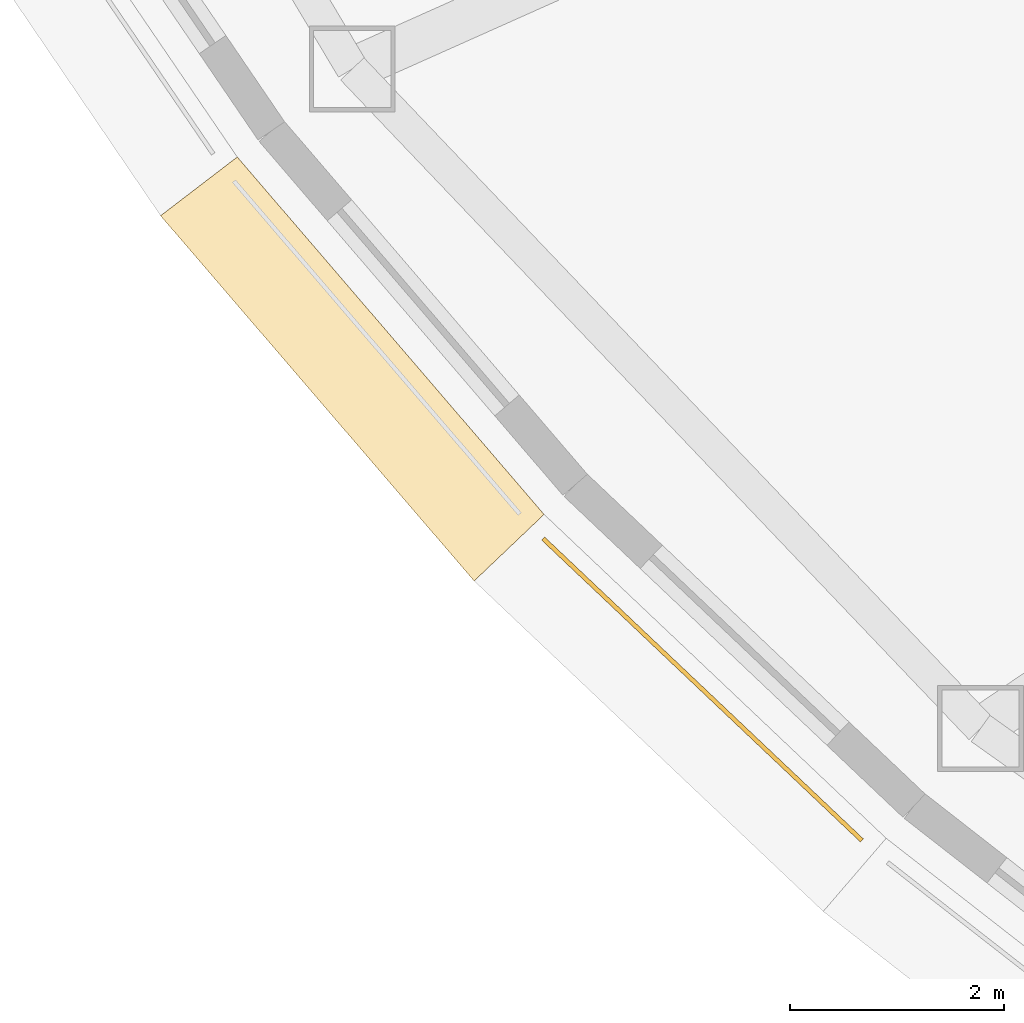
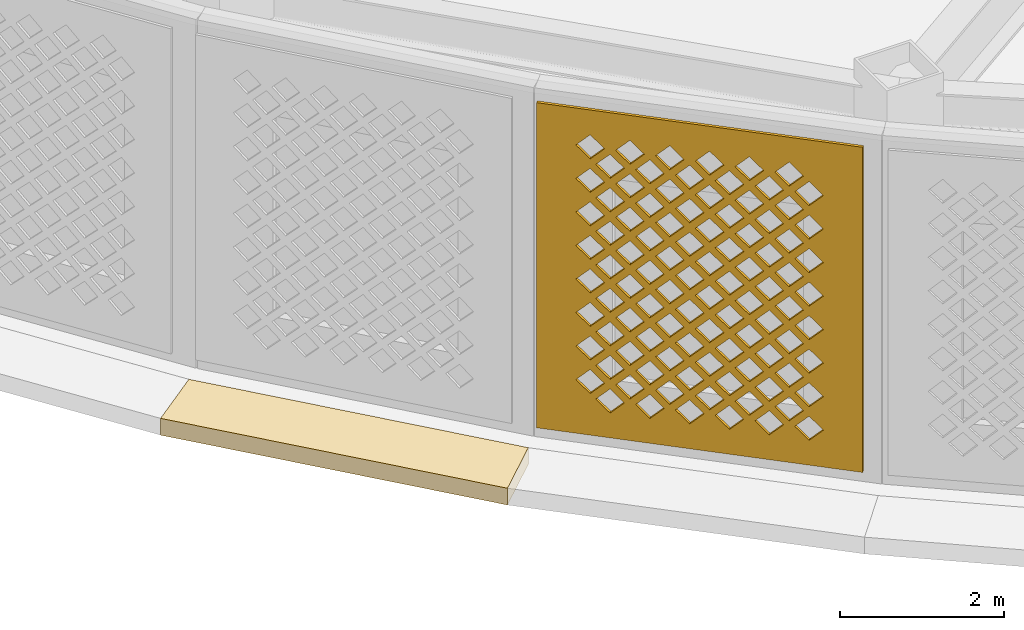
# One storey, part 37 of 63: 2 coverings.
"""IFC4 building model written with IfcOpenShell, lengths in metres."""

from ifc_helpers import new_model, si_unit, direction, frame, origin, place, context, subcontext, project, spatial, polyline, outline, extrude, material, layer, layer_set, type_object, element, save


model = new_model("IFC4")

# Units and contexts
model_context = context("Model", 3, precision=1e-05, world=origin(), true_north=direction((0.0, 1.0)))
body_context = subcontext(model_context, "Body", "Model", "MODEL_VIEW")
ifc_project = project(units=[si_unit("LENGTHUNIT", "METRE"), si_unit("AREAUNIT", "SQUARE_METRE"), si_unit("VOLUMEUNIT", "CUBIC_METRE"), si_unit("PLANEANGLEUNIT", "RADIAN"), si_unit("MASSUNIT", "GRAM", prefix="KILO")], contexts=[model_context])

# Site, building, storey
site_placement = place(None, origin())
site = spatial("IfcSite", under=ifc_project, at=site_placement, CompositionType="ELEMENT")
building_placement = place(site_placement, origin())
building = spatial("IfcBuilding", under=site, at=building_placement, Name="Noorbagh Ring Tower", CompositionType="ELEMENT")
storey_placement = place(building_placement, frame((0.0, 0.0, 25.0)))
storey = spatial("IfcBuildingStorey", under=building, at=storey_placement, Name="L04", CompositionType="ELEMENT", Elevation=25.0)

# Coverings
ifc_material_1 = material(Name="Red sandstone eave", Category="masonry")
covering_type_1 = type_object("IfcCoveringType", Name="STY-CHHAJJA", PredefinedType="USERDEFINED", material=ifc_material_1)
covering_1_placement = place(storey_placement, frame((0.0, 0.0, -0.25)))
element("IfcCovering", 1, at=covering_1_placement, inside=storey, type_object=covering_type_1, Name="Chhajja eave", ObjectType="CHHAJJA", PredefinedType="USERDEFINED", context=body_context, shape_type="SweptSolid", body=[
    extrude(outline(polyline([(-44.77001953125, -20.346923828125), (-41.906494140625, -23.682373046875), (-42.55908203125, -24.3037109375), (-45.485595703125, -20.89501953125), (-44.77001953125, -20.346923828125)])), origin(), (0.0, 0.0, 1.0), 0.25),
])
ifc_material_2 = material(Name="Red sandstone jali", Category="masonry")
ifc_layer = layer(ifc_material_2, 0.0400390625)
ifc_layer_set = layer_set([ifc_layer], Name="Red sandstone jali")
covering_type_2 = type_object("IfcCoveringType", Name="STY-JALI", PredefinedType="USERDEFINED", material=ifc_layer_set)
covering_2_placement = place(storey_placement, frame((-41.92822265625, -23.92333984375, 0.449951171875), z_axis=(-0.687531349275, -0.726154696855, 0.0), x_axis=(0.726154696855, -0.687531349275, 0.0)))
element("IfcCovering", 2, at=covering_2_placement, inside=storey, type_object=covering_type_2, Name="Jali screen", ObjectType="SCREEN", PredefinedType="USERDEFINED", context=body_context, shape_type="SweptSolid", body=[
    extrude(outline(polyline([(0.0, 0.0), (4.095947265625, 0.0), (4.095947265625, 4.85009765625), (0.0, 4.85009765625), (0.0, 0.0)]), holes=[polyline([(0.742919921875, 0.550048828125), (0.923095703125, 0.3701171875), (1.10302734375, 0.550048828125), (0.923095703125, 0.72998046875), (0.742919921875, 0.550048828125)]), polyline([(1.242919921875, 0.550048828125), (1.423095703125, 0.3701171875), (1.60302734375, 0.550048828125), (1.423095703125, 0.72998046875), (1.242919921875, 0.550048828125)]), polyline([(1.742919921875, 0.550048828125), (1.923095703125, 0.3701171875), (2.10302734375, 0.550048828125), (1.923095703125, 0.72998046875), (1.742919921875, 0.550048828125)]), polyline([(2.242919921875, 0.550048828125), (2.423095703125, 0.3701171875), (2.60302734375, 0.550048828125), (2.423095703125, 0.72998046875), (2.242919921875, 0.550048828125)]), polyline([(2.742919921875, 0.550048828125), (2.923095703125, 0.3701171875), (3.10302734375, 0.550048828125), (2.923095703125, 0.72998046875), (2.742919921875, 0.550048828125)]), polyline([(3.242919921875, 0.550048828125), (3.423095703125, 0.3701171875), (3.60302734375, 0.550048828125), (3.423095703125, 0.72998046875), (3.242919921875, 0.550048828125)]), polyline([(0.492919921875, 0.800048828125), (0.673095703125, 0.6201171875), (0.85302734375, 0.800048828125), (0.673095703125, 0.97998046875), (0.492919921875, 0.800048828125)]), polyline([(0.992919921875, 0.800048828125), (1.173095703125, 0.6201171875), (1.35302734375, 0.800048828125), (1.173095703125, 0.97998046875), (0.992919921875, 0.800048828125)]), polyline([(1.492919921875, 0.800048828125), (1.673095703125, 0.6201171875), (1.85302734375, 0.800048828125), (1.673095703125, 0.97998046875), (1.492919921875, 0.800048828125)]), polyline([(1.992919921875, 0.800048828125), (2.173095703125, 0.6201171875), (2.35302734375, 0.800048828125), (2.173095703125, 0.97998046875), (1.992919921875, 0.800048828125)]), polyline([(2.492919921875, 0.800048828125), (2.673095703125, 0.6201171875), (2.85302734375, 0.800048828125), (2.673095703125, 0.97998046875), (2.492919921875, 0.800048828125)]), polyline([(2.992919921875, 0.800048828125), (3.173095703125, 0.6201171875), (3.35302734375, 0.800048828125), (3.173095703125, 0.97998046875), (2.992919921875, 0.800048828125)]), polyline([(0.742919921875, 1.050048828125), (0.923095703125, 0.8701171875), (1.10302734375, 1.050048828125), (0.923095703125, 1.22998046875), (0.742919921875, 1.050048828125)]), polyline([(1.242919921875, 1.050048828125), (1.423095703125, 0.8701171875), (1.60302734375, 1.050048828125), (1.423095703125, 1.22998046875), (1.242919921875, 1.050048828125)]), polyline([(1.742919921875, 1.050048828125), (1.923095703125, 0.8701171875), (2.10302734375, 1.050048828125), (1.923095703125, 1.22998046875), (1.742919921875, 1.050048828125)]), polyline([(2.242919921875, 1.050048828125), (2.423095703125, 0.8701171875), (2.60302734375, 1.050048828125), (2.423095703125, 1.22998046875), (2.242919921875, 1.050048828125)]), polyline([(2.742919921875, 1.050048828125), (2.923095703125, 0.8701171875), (3.10302734375, 1.050048828125), (2.923095703125, 1.22998046875), (2.742919921875, 1.050048828125)]), polyline([(3.242919921875, 1.050048828125), (3.423095703125, 0.8701171875), (3.60302734375, 1.050048828125), (3.423095703125, 1.22998046875), (3.242919921875, 1.050048828125)]), polyline([(0.492919921875, 1.300048828125), (0.673095703125, 1.1201171875), (0.85302734375, 1.300048828125), (0.673095703125, 1.47998046875), (0.492919921875, 1.300048828125)]), polyline([(0.992919921875, 1.300048828125), (1.173095703125, 1.1201171875), (1.35302734375, 1.300048828125), (1.173095703125, 1.47998046875), (0.992919921875, 1.300048828125)]), polyline([(1.492919921875, 1.300048828125), (1.673095703125, 1.1201171875), (1.85302734375, 1.300048828125), (1.673095703125, 1.47998046875), (1.492919921875, 1.300048828125)]), polyline([(1.992919921875, 1.300048828125), (2.173095703125, 1.1201171875), (2.35302734375, 1.300048828125), (2.173095703125, 1.47998046875), (1.992919921875, 1.300048828125)]), polyline([(2.492919921875, 1.300048828125), (2.673095703125, 1.1201171875), (2.85302734375, 1.300048828125), (2.673095703125, 1.47998046875), (2.492919921875, 1.300048828125)]), polyline([(2.992919921875, 1.300048828125), (3.173095703125, 1.1201171875), (3.35302734375, 1.300048828125), (3.173095703125, 1.47998046875), (2.992919921875, 1.300048828125)]), polyline([(0.742919921875, 1.550048828125), (0.923095703125, 1.3701171875), (1.10302734375, 1.550048828125), (0.923095703125, 1.72998046875), (0.742919921875, 1.550048828125)]), polyline([(1.242919921875, 1.550048828125), (1.423095703125, 1.3701171875), (1.60302734375, 1.550048828125), (1.423095703125, 1.72998046875), (1.242919921875, 1.550048828125)]), polyline([(1.742919921875, 1.550048828125), (1.923095703125, 1.3701171875), (2.10302734375, 1.550048828125), (1.923095703125, 1.72998046875), (1.742919921875, 1.550048828125)]), polyline([(2.242919921875, 1.550048828125), (2.423095703125, 1.3701171875), (2.60302734375, 1.550048828125), (2.423095703125, 1.72998046875), (2.242919921875, 1.550048828125)]), polyline([(2.742919921875, 1.550048828125), (2.923095703125, 1.3701171875), (3.10302734375, 1.550048828125), (2.923095703125, 1.72998046875), (2.742919921875, 1.550048828125)]), polyline([(3.242919921875, 1.550048828125), (3.423095703125, 1.3701171875), (3.60302734375, 1.550048828125), (3.423095703125, 1.72998046875), (3.242919921875, 1.550048828125)]), polyline([(0.492919921875, 1.800048828125), (0.673095703125, 1.6201171875), (0.85302734375, 1.800048828125), (0.673095703125, 1.97998046875), (0.492919921875, 1.800048828125)]), polyline([(0.992919921875, 1.800048828125), (1.173095703125, 1.6201171875), (1.35302734375, 1.800048828125), (1.173095703125, 1.97998046875), (0.992919921875, 1.800048828125)]), polyline([(1.492919921875, 1.800048828125), (1.673095703125, 1.6201171875), (1.85302734375, 1.800048828125), (1.673095703125, 1.97998046875), (1.492919921875, 1.800048828125)]), polyline([(1.992919921875, 1.800048828125), (2.173095703125, 1.6201171875), (2.35302734375, 1.800048828125), (2.173095703125, 1.97998046875), (1.992919921875, 1.800048828125)]), polyline([(2.492919921875, 1.800048828125), (2.673095703125, 1.6201171875), (2.85302734375, 1.800048828125), (2.673095703125, 1.97998046875), (2.492919921875, 1.800048828125)]), polyline([(2.992919921875, 1.800048828125), (3.173095703125, 1.6201171875), (3.35302734375, 1.800048828125), (3.173095703125, 1.97998046875), (2.992919921875, 1.800048828125)]), polyline([(0.742919921875, 2.050048828125), (0.923095703125, 1.8701171875), (1.10302734375, 2.050048828125), (0.923095703125, 2.22998046875), (0.742919921875, 2.050048828125)]), polyline([(1.242919921875, 2.050048828125), (1.423095703125, 1.8701171875), (1.60302734375, 2.050048828125), (1.423095703125, 2.22998046875), (1.242919921875, 2.050048828125)]), polyline([(1.742919921875, 2.050048828125), (1.923095703125, 1.8701171875), (2.10302734375, 2.050048828125), (1.923095703125, 2.22998046875), (1.742919921875, 2.050048828125)]), polyline([(2.242919921875, 2.050048828125), (2.423095703125, 1.8701171875), (2.60302734375, 2.050048828125), (2.423095703125, 2.22998046875), (2.242919921875, 2.050048828125)]), polyline([(2.742919921875, 2.050048828125), (2.923095703125, 1.8701171875), (3.10302734375, 2.050048828125), (2.923095703125, 2.22998046875), (2.742919921875, 2.050048828125)]), polyline([(3.242919921875, 2.050048828125), (3.423095703125, 1.8701171875), (3.60302734375, 2.050048828125), (3.423095703125, 2.22998046875), (3.242919921875, 2.050048828125)]), polyline([(0.492919921875, 2.300048828125), (0.673095703125, 2.1201171875), (0.85302734375, 2.300048828125), (0.673095703125, 2.47998046875), (0.492919921875, 2.300048828125)]), polyline([(0.992919921875, 2.300048828125), (1.173095703125, 2.1201171875), (1.35302734375, 2.300048828125), (1.173095703125, 2.47998046875), (0.992919921875, 2.300048828125)]), polyline([(1.492919921875, 2.300048828125), (1.673095703125, 2.1201171875), (1.85302734375, 2.300048828125), (1.673095703125, 2.47998046875), (1.492919921875, 2.300048828125)]), polyline([(1.992919921875, 2.300048828125), (2.173095703125, 2.1201171875), (2.35302734375, 2.300048828125), (2.173095703125, 2.47998046875), (1.992919921875, 2.300048828125)]), polyline([(2.492919921875, 2.300048828125), (2.673095703125, 2.1201171875), (2.85302734375, 2.300048828125), (2.673095703125, 2.47998046875), (2.492919921875, 2.300048828125)]), polyline([(2.992919921875, 2.300048828125), (3.173095703125, 2.1201171875), (3.35302734375, 2.300048828125), (3.173095703125, 2.47998046875), (2.992919921875, 2.300048828125)]), polyline([(0.742919921875, 2.550048828125), (0.923095703125, 2.3701171875), (1.10302734375, 2.550048828125), (0.923095703125, 2.72998046875), (0.742919921875, 2.550048828125)]), polyline([(1.242919921875, 2.550048828125), (1.423095703125, 2.3701171875), (1.60302734375, 2.550048828125), (1.423095703125, 2.72998046875), (1.242919921875, 2.550048828125)]), polyline([(1.742919921875, 2.550048828125), (1.923095703125, 2.3701171875), (2.10302734375, 2.550048828125), (1.923095703125, 2.72998046875), (1.742919921875, 2.550048828125)]), polyline([(2.242919921875, 2.550048828125), (2.423095703125, 2.3701171875), (2.60302734375, 2.550048828125), (2.423095703125, 2.72998046875), (2.242919921875, 2.550048828125)]), polyline([(2.742919921875, 2.550048828125), (2.923095703125, 2.3701171875), (3.10302734375, 2.550048828125), (2.923095703125, 2.72998046875), (2.742919921875, 2.550048828125)]), polyline([(3.242919921875, 2.550048828125), (3.423095703125, 2.3701171875), (3.60302734375, 2.550048828125), (3.423095703125, 2.72998046875), (3.242919921875, 2.550048828125)]), polyline([(0.492919921875, 2.800048828125), (0.673095703125, 2.6201171875), (0.85302734375, 2.800048828125), (0.673095703125, 2.97998046875), (0.492919921875, 2.800048828125)]), polyline([(0.992919921875, 2.800048828125), (1.173095703125, 2.6201171875), (1.35302734375, 2.800048828125), (1.173095703125, 2.97998046875), (0.992919921875, 2.800048828125)]), polyline([(1.492919921875, 2.800048828125), (1.673095703125, 2.6201171875), (1.85302734375, 2.800048828125), (1.673095703125, 2.97998046875), (1.492919921875, 2.800048828125)]), polyline([(1.992919921875, 2.800048828125), (2.173095703125, 2.6201171875), (2.35302734375, 2.800048828125), (2.173095703125, 2.97998046875), (1.992919921875, 2.800048828125)]), polyline([(2.492919921875, 2.800048828125), (2.673095703125, 2.6201171875), (2.85302734375, 2.800048828125), (2.673095703125, 2.97998046875), (2.492919921875, 2.800048828125)]), polyline([(2.992919921875, 2.800048828125), (3.173095703125, 2.6201171875), (3.35302734375, 2.800048828125), (3.173095703125, 2.97998046875), (2.992919921875, 2.800048828125)]), polyline([(0.742919921875, 3.050048828125), (0.923095703125, 2.8701171875), (1.10302734375, 3.050048828125), (0.923095703125, 3.22998046875), (0.742919921875, 3.050048828125)]), polyline([(1.242919921875, 3.050048828125), (1.423095703125, 2.8701171875), (1.60302734375, 3.050048828125), (1.423095703125, 3.22998046875), (1.242919921875, 3.050048828125)]), polyline([(1.742919921875, 3.050048828125), (1.923095703125, 2.8701171875), (2.10302734375, 3.050048828125), (1.923095703125, 3.22998046875), (1.742919921875, 3.050048828125)]), polyline([(2.242919921875, 3.050048828125), (2.423095703125, 2.8701171875), (2.60302734375, 3.050048828125), (2.423095703125, 3.22998046875), (2.242919921875, 3.050048828125)]), polyline([(2.742919921875, 3.050048828125), (2.923095703125, 2.8701171875), (3.10302734375, 3.050048828125), (2.923095703125, 3.22998046875), (2.742919921875, 3.050048828125)]), polyline([(3.242919921875, 3.050048828125), (3.423095703125, 2.8701171875), (3.60302734375, 3.050048828125), (3.423095703125, 3.22998046875), (3.242919921875, 3.050048828125)]), polyline([(0.492919921875, 3.300048828125), (0.673095703125, 3.1201171875), (0.85302734375, 3.300048828125), (0.673095703125, 3.47998046875), (0.492919921875, 3.300048828125)]), polyline([(0.992919921875, 3.300048828125), (1.173095703125, 3.1201171875), (1.35302734375, 3.300048828125), (1.173095703125, 3.47998046875), (0.992919921875, 3.300048828125)]), polyline([(1.492919921875, 3.300048828125), (1.673095703125, 3.1201171875), (1.85302734375, 3.300048828125), (1.673095703125, 3.47998046875), (1.492919921875, 3.300048828125)]), polyline([(1.992919921875, 3.300048828125), (2.173095703125, 3.1201171875), (2.35302734375, 3.300048828125), (2.173095703125, 3.47998046875), (1.992919921875, 3.300048828125)]), polyline([(2.492919921875, 3.300048828125), (2.673095703125, 3.1201171875), (2.85302734375, 3.300048828125), (2.673095703125, 3.47998046875), (2.492919921875, 3.300048828125)]), polyline([(2.992919921875, 3.300048828125), (3.173095703125, 3.1201171875), (3.35302734375, 3.300048828125), (3.173095703125, 3.47998046875), (2.992919921875, 3.300048828125)]), polyline([(0.742919921875, 3.550048828125), (0.923095703125, 3.3701171875), (1.10302734375, 3.550048828125), (0.923095703125, 3.72998046875), (0.742919921875, 3.550048828125)]), polyline([(1.242919921875, 3.550048828125), (1.423095703125, 3.3701171875), (1.60302734375, 3.550048828125), (1.423095703125, 3.72998046875), (1.242919921875, 3.550048828125)]), polyline([(1.742919921875, 3.550048828125), (1.923095703125, 3.3701171875), (2.10302734375, 3.550048828125), (1.923095703125, 3.72998046875), (1.742919921875, 3.550048828125)]), polyline([(2.242919921875, 3.550048828125), (2.423095703125, 3.3701171875), (2.60302734375, 3.550048828125), (2.423095703125, 3.72998046875), (2.242919921875, 3.550048828125)]), polyline([(2.742919921875, 3.550048828125), (2.923095703125, 3.3701171875), (3.10302734375, 3.550048828125), (2.923095703125, 3.72998046875), (2.742919921875, 3.550048828125)]), polyline([(3.242919921875, 3.550048828125), (3.423095703125, 3.3701171875), (3.60302734375, 3.550048828125), (3.423095703125, 3.72998046875), (3.242919921875, 3.550048828125)]), polyline([(0.492919921875, 3.800048828125), (0.673095703125, 3.6201171875), (0.85302734375, 3.800048828125), (0.673095703125, 3.97998046875), (0.492919921875, 3.800048828125)]), polyline([(0.992919921875, 3.800048828125), (1.173095703125, 3.6201171875), (1.35302734375, 3.800048828125), (1.173095703125, 3.97998046875), (0.992919921875, 3.800048828125)]), polyline([(1.492919921875, 3.800048828125), (1.673095703125, 3.6201171875), (1.85302734375, 3.800048828125), (1.673095703125, 3.97998046875), (1.492919921875, 3.800048828125)]), polyline([(1.992919921875, 3.800048828125), (2.173095703125, 3.6201171875), (2.35302734375, 3.800048828125), (2.173095703125, 3.97998046875), (1.992919921875, 3.800048828125)]), polyline([(2.492919921875, 3.800048828125), (2.673095703125, 3.6201171875), (2.85302734375, 3.800048828125), (2.673095703125, 3.97998046875), (2.492919921875, 3.800048828125)]), polyline([(2.992919921875, 3.800048828125), (3.173095703125, 3.6201171875), (3.35302734375, 3.800048828125), (3.173095703125, 3.97998046875), (2.992919921875, 3.800048828125)]), polyline([(0.742919921875, 4.050048828125), (0.923095703125, 3.8701171875), (1.10302734375, 4.050048828125), (0.923095703125, 4.22998046875), (0.742919921875, 4.050048828125)]), polyline([(1.242919921875, 4.050048828125), (1.423095703125, 3.8701171875), (1.60302734375, 4.050048828125), (1.423095703125, 4.22998046875), (1.242919921875, 4.050048828125)]), polyline([(1.742919921875, 4.050048828125), (1.923095703125, 3.8701171875), (2.10302734375, 4.050048828125), (1.923095703125, 4.22998046875), (1.742919921875, 4.050048828125)]), polyline([(2.242919921875, 4.050048828125), (2.423095703125, 3.8701171875), (2.60302734375, 4.050048828125), (2.423095703125, 4.22998046875), (2.242919921875, 4.050048828125)]), polyline([(2.742919921875, 4.050048828125), (2.923095703125, 3.8701171875), (3.10302734375, 4.050048828125), (2.923095703125, 4.22998046875), (2.742919921875, 4.050048828125)]), polyline([(3.242919921875, 4.050048828125), (3.423095703125, 3.8701171875), (3.60302734375, 4.050048828125), (3.423095703125, 4.22998046875), (3.242919921875, 4.050048828125)]), polyline([(0.492919921875, 4.300048828125), (0.673095703125, 4.1201171875), (0.85302734375, 4.300048828125), (0.673095703125, 4.47998046875), (0.492919921875, 4.300048828125)]), polyline([(0.992919921875, 4.300048828125), (1.173095703125, 4.1201171875), (1.35302734375, 4.300048828125), (1.173095703125, 4.47998046875), (0.992919921875, 4.300048828125)]), polyline([(1.492919921875, 4.300048828125), (1.673095703125, 4.1201171875), (1.85302734375, 4.300048828125), (1.673095703125, 4.47998046875), (1.492919921875, 4.300048828125)]), polyline([(1.992919921875, 4.300048828125), (2.173095703125, 4.1201171875), (2.35302734375, 4.300048828125), (2.173095703125, 4.47998046875), (1.992919921875, 4.300048828125)]), polyline([(2.492919921875, 4.300048828125), (2.673095703125, 4.1201171875), (2.85302734375, 4.300048828125), (2.673095703125, 4.47998046875), (2.492919921875, 4.300048828125)]), polyline([(2.992919921875, 4.300048828125), (3.173095703125, 4.1201171875), (3.35302734375, 4.300048828125), (3.173095703125, 4.47998046875), (2.992919921875, 4.300048828125)])]), origin(), (0.0, 0.0, -1.0), 0.0400390625),
])

save(model, "model.ifc")
